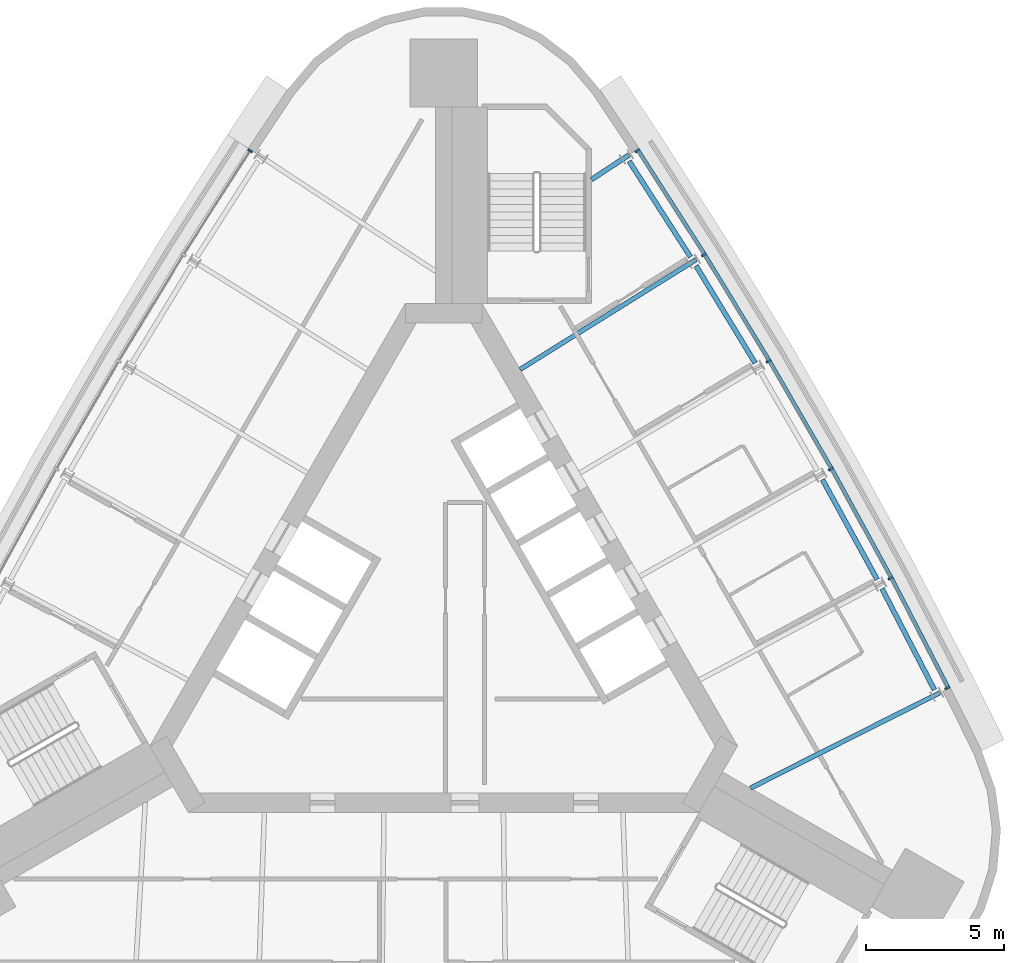
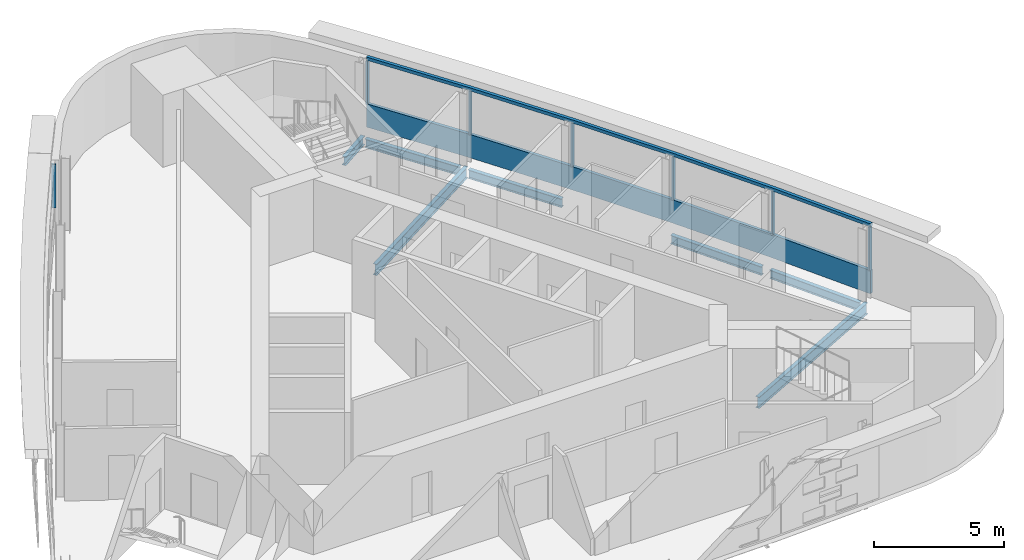
# One storey, part 4 of 10: 9 members, 7 beams, 2 elements without a shape of their own.
"""IFC4 building model written with IfcOpenShell, lengths in metres."""

from ifc_helpers import new_model, si_unit, direction, frame, origin, origin_2d, place, context, subcontext, project, spatial, polyline, rectangle, i_section, outline, extrude, material, material_profile, profile_set, type_object, element, aggregate, save


model = new_model("IFC4")

# Units and contexts
model_context = context("Model", 3, precision=1e-05, world=origin(), true_north=direction((0.0, 1.0)))
body_context = subcontext(model_context, "Body", "Model", "MODEL_VIEW")
ifc_project = project(units=[si_unit("LENGTHUNIT", "METRE"), si_unit("AREAUNIT", "SQUARE_METRE"), si_unit("VOLUMEUNIT", "CUBIC_METRE"), si_unit("PLANEANGLEUNIT", "RADIAN"), si_unit("MASSUNIT", "GRAM", prefix="KILO")], contexts=[model_context])

# Site, building, storey
site_placement = place(None, origin())
site = spatial("IfcSite", under=ifc_project, at=site_placement, CompositionType="ELEMENT")
building_placement = place(site_placement, origin())
building = spatial("IfcBuilding", under=site, at=building_placement, Name="Noor Cloister Tower", CompositionType="ELEMENT")
storey_placement = place(building_placement, frame((0.0, 0.0, 243.60009765625)))
storey = spatial("IfcBuildingStorey", under=building, at=storey_placement, Name="L63", CompositionType="ELEMENT", Elevation=243.60009765625)

# Curtain wall, member
ifc_material_1 = material(Name="Aluminium 6063-T6 anodised", Category="aluminium")
curtain_wall_type = type_object("IfcCurtainWallType", Name="Ribbon curtain wall, upper tower CW5", PredefinedType="NOTDEFINED", material=ifc_material_1)
curtain_wall_1_placement = place(storey_placement, origin())
curtain_wall_1 = element("IfcCurtainWall", 1, at=curtain_wall_1_placement, inside=storey, type_object=curtain_wall_type, Name="CW5 L63 NE run 3", PredefinedType="NOTDEFINED")
ifc_material_2 = material(Name="Aluminium 6063-T6 anodised", Category="aluminium")
member_type_1 = type_object("IfcMemberType", Name="Head transom CW5 150", PredefinedType="USERDEFINED", material=ifc_material_2)
member_1_placement = place(storey_placement, frame((0.0, 0.0, 3.14990234375)))
member_1 = element("IfcMember", 2, at=member_1_placement, type_object=member_type_1, Name="CW5 head transom", ObjectType="TRANSOM", PredefinedType="USERDEFINED", context=body_context, shape_type="SweptSolid", body=[
    extrude(outline(polyline([(18.301025390625, -2.417236328125), (16.232177734375, 1.578857421875), (14.072021484375, 5.5263671875), (11.822021484375, 9.423583984375), (9.4833984375, 13.267822265625), (7.05712890625, 17.0576171875), (6.939208984375, 16.982177734375), (9.364501953125, 13.19384765625), (11.70166015625, 9.35205078125), (13.949951171875, 5.457763671875), (16.1083984375, 1.51318359375), (18.1767578125, -2.4814453125), (18.301025390625, -2.417236328125)])), origin(), (0.0, 0.0, 1.0), 0.14990234375),
])

curtain_wall_2_placement = place(storey_placement, origin())
curtain_wall_2 = element("IfcCurtainWall", 3, at=curtain_wall_2_placement, inside=storey, type_object=curtain_wall_type, Name="CW5 L63 NW run 1", PredefinedType="NOTDEFINED")
ifc_material_3 = material(Name="Aluminium 6063-T6 anodised", Category="aluminium")
ifc_material_profile_1 = material_profile(ifc_material_3, rectangle(XDim=0.179931640625, YDim=0.070068359375, at=origin_2d()), Name="180 x 70 mullion")
ifc_profile_set_1 = profile_set([ifc_material_profile_1], Name="Aluminium 6063-T6 anodised")
member_type_2 = type_object("IfcMemberType", Name="Mullion CW5 70 x 180", PredefinedType="MULLION", material=ifc_profile_set_1)
member_2_placement = place(storey_placement, frame((-6.991943359375, 16.974365234375, 1.099853515625), z_axis=(0.0, 0.0, 1.0), x_axis=(0.842196352874, -0.539170940617, 0.0)))
member_2 = element("IfcMember", 4, at=member_2_placement, type_object=member_type_2, Name="CW5 mullion 1", PredefinedType="MULLION", context=body_context, shape_type="SweptSolid", body=[
    extrude(rectangle(XDim=0.179931640625, YDim=0.070068359375, at=origin_2d()), origin(), (0.0, 0.0, 1.0), 2.050048828125),
])
aggregate(curtain_wall_2, [member_2])

# Member
member_3_placement = place(storey_placement, frame((18.196044921875, -2.43212890625, 1.099853515625), z_axis=(0.0, 0.0, 1.0), x_axis=(-0.888033907993, -0.459777966255, 0.0)))
member_3 = element("IfcMember", 5, at=member_3_placement, type_object=member_type_2, Name="CW5 mullion 1", PredefinedType="MULLION", context=body_context, shape_type="SweptSolid", body=[
    extrude(rectangle(XDim=0.179931640625, YDim=0.070068359375, at=origin_2d()), origin(), (0.0, 0.0, 1.0), 2.050048828125),
])

member_4_placement = place(storey_placement, frame((16.143798828125, 1.531982421875, 1.099853515625), z_axis=(0.0, 0.0, 1.0), x_axis=(-0.882705052663, -0.469927430572, 0.0)))
member_4 = element("IfcMember", 6, at=member_4_placement, type_object=member_type_2, Name="CW5 mullion 2", PredefinedType="MULLION", context=body_context, shape_type="SweptSolid", body=[
    extrude(rectangle(XDim=0.179931640625, YDim=0.070068359375, at=origin_2d()), origin(), (0.0, 0.0, 1.0), 2.050048828125),
])

member_5_placement = place(storey_placement, frame((13.98486328125, 5.4775390625, 1.099853515625), z_axis=(0.0, 0.0, 1.0), x_axis=(-0.871700081674, -0.490039761253, 0.0)))
member_5 = element("IfcMember", 7, at=member_5_placement, type_object=member_type_2, Name="CW5 mullion 3", PredefinedType="MULLION", context=body_context, shape_type="SweptSolid", body=[
    extrude(rectangle(XDim=0.179931640625, YDim=0.070068359375, at=origin_2d()), origin(), (0.0, 0.0, 1.0), 2.050048828125),
])

member_6_placement = place(storey_placement, frame((11.736083984375, 9.37255859375, 1.099853515625), z_axis=(0.0, 0.0, 1.0), x_axis=(-0.860236922947, -0.509894534585, 0.0)))
member_6 = element("IfcMember", 8, at=member_6_placement, type_object=member_type_2, Name="CW5 mullion 4", PredefinedType="MULLION", context=body_context, shape_type="SweptSolid", body=[
    extrude(rectangle(XDim=0.179931640625, YDim=0.070068359375, at=origin_2d()), origin(), (0.0, 0.0, 1.0), 2.050048828125),
])

member_7_placement = place(storey_placement, frame((9.3984375, 13.215087890625, 1.099853515625), z_axis=(0.0, 0.0, 1.0), x_axis=(-0.848321619142, -0.529481284369, 0.0)))
member_7 = element("IfcMember", 9, at=member_7_placement, type_object=member_type_2, Name="CW5 mullion 5", PredefinedType="MULLION", context=body_context, shape_type="SweptSolid", body=[
    extrude(rectangle(XDim=0.179931640625, YDim=0.070068359375, at=origin_2d()), origin(), (0.0, 0.0, 1.0), 2.050048828125),
])

member_8_placement = place(storey_placement, frame((6.991943359375, 16.974365234375, 1.099853515625), z_axis=(0.0, 0.0, 1.0), x_axis=(-0.842196352874, -0.539170940617, 0.0)))
member_8 = element("IfcMember", 10, at=member_8_placement, type_object=member_type_2, Name="CW5 mullion 6", PredefinedType="MULLION", context=body_context, shape_type="SweptSolid", body=[
    extrude(rectangle(XDim=0.179931640625, YDim=0.070068359375, at=origin_2d()), origin(), (0.0, 0.0, 1.0), 2.050048828125),
])

# Beams
ifc_material_4 = material(Name="Steel ASTM A992 Gr 50", Category="steel")
ifc_material_profile_2 = material_profile(ifc_material_4, i_section(OverallWidth=0.177978515625, OverallDepth=0.406005859375, WebThickness=0.0078125, FlangeThickness=0.0126953125, FilletRadius=0.01025390625, at=origin_2d()), Name="W410x60")
ifc_profile_set_2 = profile_set([ifc_material_profile_2], Name="Steel ASTM A992 Gr 50")
beam_type_1 = type_object("IfcBeamType", Name="Radial beam W410x60", PredefinedType="BEAM", material=ifc_profile_set_2)
beam_1_placement = place(storey_placement, frame((6.6943359375, 16.819580078125, -0.403076171875), z_axis=(-0.835912235929, -0.548863128497, 0.0), x_axis=(0.548863128497, -0.835912235929, 0.0)))
element("IfcBeam", 11, at=beam_1_placement, inside=storey, type_object=beam_type_1, Name="Radial beam NE 06 L63", PredefinedType="BEAM", context=body_context, shape_type="SweptSolid", body=[
    extrude(i_section(OverallWidth=0.177978515625, OverallDepth=0.406005859375, WebThickness=0.0078125, FlangeThickness=0.0126953125, FilletRadius=0.01025390625, at=origin_2d()), origin(), (0.0, 0.0, 1.0), 1.625244140625),
])
ifc_material_5 = material(Name="Steel ASTM A992 Gr 50", Category="steel")
ifc_material_profile_3 = material_profile(ifc_material_5, i_section(OverallWidth=0.166015625, OverallDepth=0.528076171875, WebThickness=0.009765625, FlangeThickness=0.013671875, FilletRadius=0.0126953125, at=origin_2d()), Name="W530x74")
ifc_profile_set_3 = profile_set([ifc_material_profile_3], Name="Steel ASTM A992 Gr 50")
beam_type_2 = type_object("IfcBeamType", Name="Radial beam W530x74", PredefinedType="BEAM", material=ifc_profile_set_3)
beam_2_placement = place(storey_placement, frame((17.913330078125, -2.6123046875, -0.464111328125), z_axis=(-0.893249533682, -0.44956119781, 0.0), x_axis=(0.44956119781, -0.893249533682, 0.0)))
element("IfcBeam", 12, at=beam_2_placement, inside=storey, type_object=beam_type_2, Name="Radial beam NE 01 L63", PredefinedType="BEAM", context=body_context, shape_type="SweptSolid", body=[
    extrude(i_section(OverallWidth=0.166015625, OverallDepth=0.528076171875, WebThickness=0.009765625, FlangeThickness=0.013671875, FilletRadius=0.0126953125, at=origin_2d()), origin(), (0.0, 0.0, 1.0), 7.649169921875),
])
beam_3_placement = place(storey_placement, frame((9.115234375, 13.0380859375, -0.464111328125), z_axis=(-0.848325964039, -0.529474323019, 0.0), x_axis=(0.529474323019, -0.848325964039, 0.0)))
element("IfcBeam", 13, at=beam_3_placement, inside=storey, type_object=beam_type_2, Name="Radial beam NE 05 L63", PredefinedType="BEAM", context=body_context, shape_type="SweptSolid", body=[
    extrude(i_section(OverallWidth=0.166015625, OverallDepth=0.528076171875, WebThickness=0.009765625, FlangeThickness=0.013671875, FilletRadius=0.0126953125, at=origin_2d()), origin(), (0.0, 0.0, 1.0), 7.4892578125),
])

# Member
ifc_material_6 = material(Name="Aluminium 6063-T6 anodised", Category="aluminium")
member_type_3 = type_object("IfcMemberType", Name="Sill transom CW5 1100", PredefinedType="USERDEFINED", material=ifc_material_6)
member_9_placement = place(storey_placement, origin())
member_9 = element("IfcMember", 14, at=member_9_placement, type_object=member_type_3, Name="CW5 sill transom", ObjectType="TRANSOM", PredefinedType="USERDEFINED", context=body_context, shape_type="SweptSolid", body=[
    extrude(outline(polyline([(18.301025390625, -2.417236328125), (16.232177734375, 1.578857421875), (14.072021484375, 5.5263671875), (11.822021484375, 9.423583984375), (9.4833984375, 13.267822265625), (7.05712890625, 17.0576171875), (6.939208984375, 16.982177734375), (9.364501953125, 13.19384765625), (11.70166015625, 9.35205078125), (13.949951171875, 5.457763671875), (16.1083984375, 1.51318359375), (18.1767578125, -2.4814453125), (18.301025390625, -2.417236328125)])), origin(), (0.0, 0.0, 1.0), 1.099853515625),
])

aggregate(curtain_wall_1, [member_3, member_4, member_5, member_6, member_7, member_8, member_9, member_1])

# Beams
ifc_material_7 = material(Name="Steel ASTM A992 Gr 50", Category="steel")
ifc_material_profile_4 = material_profile(ifc_material_7, i_section(OverallWidth=0.177978515625, OverallDepth=0.406005859375, WebThickness=0.0078125, FlangeThickness=0.0126953125, FilletRadius=0.01025390625, at=origin_2d()), Name="W410x60")
ifc_profile_set_4 = profile_set([ifc_material_profile_4], Name="Steel ASTM A992 Gr 50")
beam_type_3 = type_object("IfcBeamType", Name="Spandrel beam W410x60", PredefinedType="SPANDREL", material=ifc_profile_set_4)
beam_4_placement = place(storey_placement, frame((17.723876953125, -2.498779296875, -0.403076171875), z_axis=(-0.459773194778, 0.888036378401, 0.0), x_axis=(-0.888036378401, -0.459773194778, 0.0)))
element("IfcBeam", 15, at=beam_4_placement, inside=storey, type_object=beam_type_3, Name="Spandrel beam NE 01 L63", PredefinedType="SPANDREL", context=body_context, shape_type="SweptSolid", body=[
    extrude(i_section(OverallWidth=0.177978515625, OverallDepth=0.406005859375, WebThickness=0.0078125, FlangeThickness=0.0126953125, FilletRadius=0.01025390625, at=origin_2d()), origin(), (0.0, 0.0, 1.0), 4.1142578125),
])
beam_5_placement = place(storey_placement, frame((15.656982421875, 1.484130859375, -0.403076171875), z_axis=(-0.480020032196, 0.877257527007, 0.0), x_axis=(-0.877257527007, -0.480020032196, 0.0)))
element("IfcBeam", 16, at=beam_5_placement, inside=storey, type_object=beam_type_3, Name="Spandrel beam NE 02 L63", PredefinedType="SPANDREL", context=body_context, shape_type="SweptSolid", body=[
    extrude(i_section(OverallWidth=0.177978515625, OverallDepth=0.406005859375, WebThickness=0.0078125, FlangeThickness=0.0126953125, FilletRadius=0.01025390625, at=origin_2d()), origin(), (0.0, 0.0, 1.0), 4.114013671875),
])
for number, where, z_axis, x_axis, name in (
    (17, (11.251953125, 9.302490234375, -0.403076171875), (-0.519713490012, 0.854340616089, 0.0), (-0.854340616089, -0.519713490012, 0.0), "Spandrel beam NE 04 L63"),
    (18, (8.916259765625, 13.1337890625, -0.403076171875), (-0.539158091967, 0.842204578393, 0.0), (-0.842204578393, -0.539158091967, 0.0), "Spandrel beam NE 05 L63"),
):
    element("IfcBeam", number, at=place(storey_placement, frame(where, z_axis=z_axis, x_axis=x_axis)), inside=storey, type_object=beam_type_3, Name=name, PredefinedType="SPANDREL", context=body_context, shape_type="SweptSolid", body=[
        extrude(i_section(OverallWidth=0.177978515625, OverallDepth=0.406005859375, WebThickness=0.0078125, FlangeThickness=0.0126953125, FilletRadius=0.01025390625, at=origin_2d()), origin(), (0.0, 0.0, 1.0), 4.1142578125),
    ])

save(model, "model.ifc")
